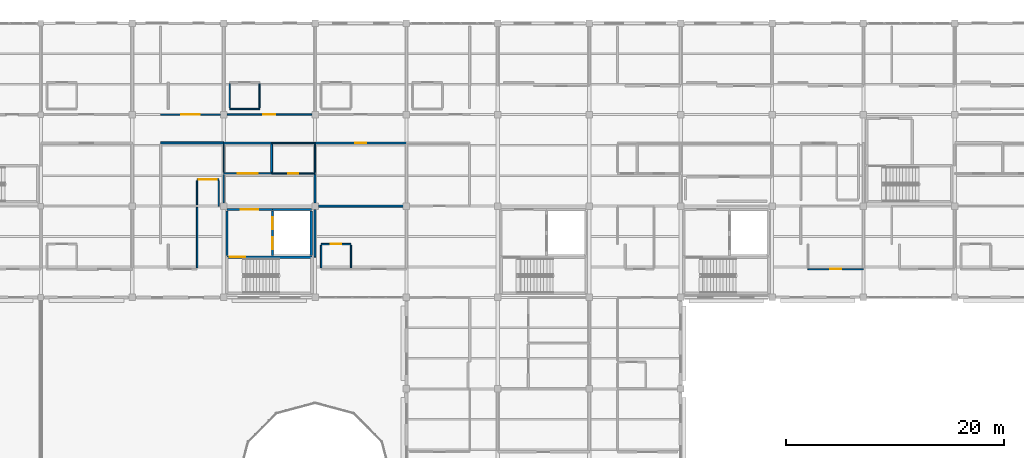
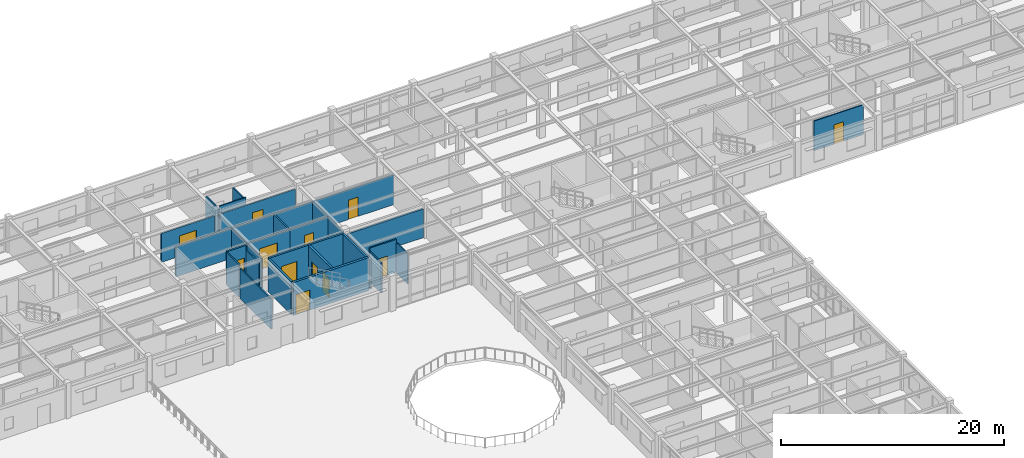
# One storey, part 61 of 86: 32 walls, 12 doors, 12 openings.
"""IFC4 building model written with IfcOpenShell, lengths in metres."""

from ifc_helpers import new_model, si_unit, direction, frame, frame_2d, origin, place, context, subcontext, project, spatial, rectangle, extrude, material, layer, layer_set, type_object, element, fill, save


model = new_model("IFC4")

# Units and contexts
model_context = context("Model", 3, precision=1e-05, world=origin(), true_north=direction((0.0, 1.0)))
body_context = subcontext(model_context, "Body", "Model", "MODEL_VIEW")
ifc_project = project(units=[si_unit("LENGTHUNIT", "METRE"), si_unit("AREAUNIT", "SQUARE_METRE"), si_unit("VOLUMEUNIT", "CUBIC_METRE"), si_unit("PLANEANGLEUNIT", "RADIAN"), si_unit("MASSUNIT", "GRAM", prefix="KILO")], contexts=[model_context])

# Site, building, storey
site_placement = place(None, origin())
site = spatial("IfcSite", under=ifc_project, at=site_placement, CompositionType="ELEMENT")
building_placement = place(site_placement, origin())
building = spatial("IfcBuilding", under=site, at=building_placement, Name="Bramfleet General Hospital", CompositionType="ELEMENT")
storey_placement = place(building_placement, frame((0.0, 0.0, 18.60009765625)))
storey = spatial("IfcBuildingStorey", under=building, at=storey_placement, Name="L04", CompositionType="ELEMENT", Elevation=18.60009765625)

# Wall, openings, doors
ifc_material_1 = material(Name="Concrete C35/45", Category="concrete")
ifc_layer_1 = layer(ifc_material_1, 0.205078125, Name="WT-IW-02")
ifc_layer_set_1 = layer_set([ifc_layer_1], Name="Concrete C35/45")
wall_type_1 = type_object("IfcWallType", Name="WT-IW-02", PredefinedType="PARTITIONING", material=ifc_layer_set_1)
wall_1_placement = place(storey_placement, frame((80.080078125, 96.239990234375, 0.0), z_axis=(0.0, 0.0, 1.0), x_axis=(0.0, 1.0, 0.0)))
wall_1 = element("IfcWall", 1, at=wall_1_placement, inside=storey, type_object=wall_type_1, Name="L04 C5 Lobby East Shaft Wall", PredefinedType="PARTITIONING", context=body_context, shape_type="SweptSolid", body=[
    extrude(rectangle(XDim=4.1201171875, YDim=0.205078125, at=frame_2d((2.06005859375, 0.0))), origin(), (0.0, 0.0, 1.0), 3.60986328125),
])
opening_1_placement = place(wall_1_placement, frame((0.570068359375, 0.0, 0.0)))
opening_1 = element("IfcOpeningElement", 2, at=opening_1_placement, cuts=wall_1, Name="Opening LD-PL-02-L04", PredefinedType="OPENING", context=body_context, shape_type="SweptSolid", body=[
    extrude(rectangle(XDim=1.10009765625, YDim=2.14990234375, at=frame_2d((0.550048828125, 1.074951171875))), frame((0.0, 0.112548828125, 0.0), z_axis=(0.0, -1.0, 0.0), x_axis=(1.0, 0.0, 0.0)), (0.0, 0.0, 1.0), 0.22509765625),
])
opening_2_placement = place(wall_1_placement, frame((2.449951171875, 0.0, 0.0)))
opening_2 = element("IfcOpeningElement", 3, at=opening_2_placement, cuts=wall_1, Name="Opening LD-PL-03-L04", PredefinedType="OPENING", context=body_context, shape_type="SweptSolid", body=[
    extrude(rectangle(XDim=1.10009765625, YDim=2.14990234375, at=frame_2d((0.550048828125, 1.074951171875))), frame((0.0, 0.112548828125, 0.0), z_axis=(0.0, -1.0, 0.0), x_axis=(1.0, 0.0, 0.0)), (0.0, 0.0, 1.0), 0.22509765625),
])
ifc_material_2 = material(Name="Brushed stainless steel 1.4301", Category="steel")
door_type_1 = type_object("IfcDoorType", Name="DR-LD-02", OperationType="NOTDEFINED", PredefinedType="DOOR", material=ifc_material_2)
door_1_placement = place(opening_1_placement, origin())
door_1 = element("IfcDoor", 4, at=door_1_placement, inside=storey, type_object=door_type_1, Name="L04 Lift PL-02 Sliding Landing Door", OperationType="SLIDING_TO_LEFT", OverallHeight=2.14990234375, OverallWidth=1.10009765625, PredefinedType="DOOR", context=body_context, shape_type="SweptSolid", body=[
    extrude(rectangle(XDim=1.10009765625, YDim=2.14990234375, at=frame_2d((0.550048828125, 1.074951171875))), frame((0.0, 0.02490234375, 0.0), z_axis=(0.0, -1.0, 0.0), x_axis=(1.0, 0.0, 0.0)), (0.0, 0.0, 1.0), 0.050048828125),
])
fill(opening_1, door_1)
door_2_placement = place(opening_2_placement, origin())
door_2 = element("IfcDoor", 5, at=door_2_placement, inside=storey, type_object=door_type_1, Name="L04 Lift PL-03 Sliding Landing Door", OperationType="SLIDING_TO_LEFT", OverallHeight=2.14990234375, OverallWidth=1.10009765625, PredefinedType="DOOR", context=body_context, shape_type="SweptSolid", body=[
    extrude(rectangle(XDim=1.10009765625, YDim=2.14990234375, at=frame_2d((0.550048828125, 1.074951171875))), frame((0.0, 0.02490234375, 0.0), z_axis=(0.0, -1.0, 0.0), x_axis=(1.0, 0.0, 0.0)), (0.0, 0.0, 1.0), 0.050048828125),
])
fill(opening_2, door_2)

# Walls
wall_2_placement = place(storey_placement, frame((83.64990234375, 96.239990234375, 0.0), z_axis=(0.0, 0.0, 1.0), x_axis=(0.0, 1.0, 0.0)))
element("IfcWall", 6, at=wall_2_placement, inside=storey, type_object=wall_type_1, Name="L04 C5 Lift Shaft East Wall", PredefinedType="PARTITIONING", context=body_context, shape_type="SweptSolid", body=[
    extrude(rectangle(XDim=4.1201171875, YDim=0.205078125, at=frame_2d((2.06005859375, 0.0))), origin(), (0.0, 0.0, 1.0), 3.60986328125),
])
wall_3_placement = place(storey_placement, frame((80.080078125, 100.47998046875, 0.0), z_axis=(0.0, 0.0, 1.0), x_axis=(1.0, 0.0, 0.0)))
element("IfcWall", 7, at=wall_3_placement, inside=storey, type_object=wall_type_1, Name="L04 C5 Lift Shaft North Wall", PredefinedType="PARTITIONING", context=body_context, shape_type="SweptSolid", body=[
    extrude(rectangle(XDim=3.56982421875, YDim=0.205078125, at=frame_2d((1.784912109375, 0.0))), origin(), (0.0, 0.0, 1.0), 3.60986328125),
])
wall_4_placement = place(storey_placement, frame((75.89990234375, 96.239990234375, 0.0), z_axis=(0.0, 0.0, 1.0), x_axis=(0.0, 1.0, 0.0)))
element("IfcWall", 8, at=wall_4_placement, inside=storey, type_object=wall_type_1, Name="L04 C5 Lobby West Compartment Wall", PredefinedType="PARTITIONING", context=body_context, shape_type="SweptSolid", body=[
    extrude(rectangle(XDim=4.1201171875, YDim=0.205078125, at=frame_2d((2.06005859375, 0.0))), origin(), (0.0, 0.0, 1.0), 3.60986328125),
])

# Wall, opening, door
wall_5_placement = place(storey_placement, frame((75.89990234375, 100.47998046875, 0.0), z_axis=(0.0, 0.0, 1.0), x_axis=(1.0, 0.0, 0.0)))
wall_5 = element("IfcWall", 9, at=wall_5_placement, inside=storey, type_object=wall_type_1, Name="L04 C5 Lobby North Compartment Wall", PredefinedType="PARTITIONING", context=body_context, shape_type="SweptSolid", body=[
    extrude(rectangle(XDim=4.18017578125, YDim=0.205078125, at=frame_2d((2.090087890625, 0.0))), origin(), (0.0, 0.0, 1.0), 3.60986328125),
])
opening_3_placement = place(wall_5_placement, frame((1.2900390625, 0.0, 0.0)))
opening_3 = element("IfcOpeningElement", 10, at=opening_3_placement, cuts=wall_5, Name="Opening D0066", PredefinedType="OPENING", context=body_context, shape_type="SweptSolid", body=[
    extrude(rectangle(XDim=1.60009765625, YDim=2.25, at=frame_2d((0.800048828125, 1.125))), frame((0.0, 0.112548828125, 0.0), z_axis=(0.0, -1.0, 0.0), x_axis=(1.0, 0.0, 0.0)), (0.0, 0.0, 1.0), 0.22509765625),
])
ifc_material_3 = material(Name="Stainless steel and acoustic timber leaf", Category="steel")
door_type_2 = type_object("IfcDoorType", Name="DR-D-04", OperationType="NOTDEFINED", PredefinedType="DOOR", material=ifc_material_3)
door_3_placement = place(opening_3_placement, origin())
door_3 = element("IfcDoor", 11, at=door_3_placement, inside=storey, type_object=door_type_2, Name="L04 C5 Lobby Fire Door D0066", OperationType="DOUBLE_SWING_LEFT", OverallHeight=2.25, OverallWidth=1.60009765625, PredefinedType="DOOR", context=body_context, shape_type="SweptSolid", body=[
    extrude(rectangle(XDim=1.60009765625, YDim=2.25, at=frame_2d((0.800048828125, 1.125))), frame((0.0, 0.02490234375, 0.0), z_axis=(0.0, -1.0, 0.0), x_axis=(1.0, 0.0, 0.0)), (0.0, 0.0, 1.0), 0.050048828125),
])
fill(opening_3, door_3)

ifc_layer_2 = layer(ifc_material_1, 0.18994140625, Name="WT-IW-03")
ifc_layer_set_2 = layer_set([ifc_layer_2], Name="Concrete C35/45")
wall_type_2 = type_object("IfcWallType", Name="WT-IW-03", PredefinedType="PARTITIONING", material=ifc_layer_set_2)
wall_6_placement = place(storey_placement, frame((73.14990234375, 103.25, 0.0), z_axis=(0.0, 0.0, 1.0), x_axis=(1.0, 0.0, 0.0)))
wall_6 = element("IfcWall", 12, at=wall_6_placement, inside=storey, type_object=wall_type_2, Name="L04 Interior Partition IW-L04-3219", PredefinedType="PARTITIONING", context=body_context, shape_type="SweptSolid", body=[
    extrude(rectangle(XDim=2.0, YDim=0.18994140625, at=frame_2d((1.0, 0.0))), origin(), (0.0, 0.0, 1.0), 3.60986328125),
])
opening_4_placement = place(wall_6_placement, frame((0.179931640625, 0.0, 0.0)))
opening_4 = element("IfcOpeningElement", 13, at=opening_4_placement, cuts=wall_6, Name="Opening D1234", PredefinedType="OPENING", context=body_context, shape_type="SweptSolid", body=[
    extrude(rectangle(XDim=1.639892578125, YDim=2.280029296875, at=frame_2d((0.81982421875, 1.14013671875))), frame((0.0, 0.10498046875, 0.0), z_axis=(0.0, -1.0, 0.0), x_axis=(1.0, 0.0, 0.0)), (0.0, 0.0, 1.0), 0.2099609375),
])
door_type_3 = type_object("IfcDoorType", Name="DR-D-18", OperationType="NOTDEFINED", PredefinedType="DOOR", material=ifc_material_3)
door_4_placement = place(opening_4_placement, origin())
door_4 = element("IfcDoor", 14, at=door_4_placement, inside=storey, type_object=door_type_3, Name="Surgical Inpatient Ward Nurse Station L04-0812 Door D1234", OperationType="DOUBLE_SWING_LEFT", OverallHeight=2.280029296875, OverallWidth=1.639892578125, PredefinedType="DOOR", context=body_context, shape_type="SweptSolid", body=[
    extrude(rectangle(XDim=1.639892578125, YDim=2.280029296875, at=frame_2d((0.81982421875, 1.14013671875))), frame((0.0, 0.02490234375, 0.0), z_axis=(0.0, -1.0, 0.0), x_axis=(1.0, 0.0, 0.0)), (0.0, 0.0, 1.0), 0.050048828125),
])
fill(opening_4, door_4)

# Walls
ifc_layer_3 = layer(ifc_material_1, 0.179931640625, Name="WT-IW-04")
ifc_layer_set_3 = layer_set([ifc_layer_3], Name="Concrete C35/45")
wall_type_3 = type_object("IfcWallType", Name="WT-IW-04", PredefinedType="PARTITIONING", material=ifc_layer_set_3)
wall_7_placement = place(storey_placement, frame((84.294921875, 100.800048828125, 0.0), z_axis=(0.0, 0.0, 1.0), x_axis=(1.0, 0.0, 0.0)))
element("IfcWall", 15, at=wall_7_placement, inside=storey, type_object=wall_type_3, Name="L04 Interior Partition IW-L04-3208", PredefinedType="PARTITIONING", context=body_context, shape_type="SweptSolid", body=[
    extrude(rectangle(XDim=7.81005859375, YDim=0.179931640625, at=frame_2d((3.905029296875, 0.0))), origin(), (0.0, 0.0, 1.0), 3.159912109375),
])
wall_8_placement = place(storey_placement, frame((69.800048828125, 106.60009765625, 0.0), z_axis=(0.0, 0.0, 1.0), x_axis=(1.0, 0.0, 0.0)))
element("IfcWall", 16, at=wall_8_placement, inside=storey, type_object=wall_type_3, Name="L04 Interior Partition IW-L04-3232", PredefinedType="PARTITIONING", context=body_context, shape_type="SweptSolid", body=[
    extrude(rectangle(XDim=5.800048828125, YDim=0.179931640625, at=frame_2d((2.89990234375, 0.0))), origin(), (0.0, 0.0, 1.0), 3.260009765625),
])
wall_9_placement = place(storey_placement, frame((80.0, 103.9150390625, 0.0), z_axis=(0.0, 0.0, 1.0), x_axis=(0.0, 1.0, 0.0)))
element("IfcWall", 17, at=wall_9_placement, inside=storey, type_object=wall_type_3, Name="L04 Interior Partition IW-L04-3316", PredefinedType="PARTITIONING", context=body_context, shape_type="SweptSolid", body=[
    extrude(rectangle(XDim=2.570068359375, YDim=0.179931640625, at=frame_2d((1.28515625, 0.0))), origin(), (0.0, 0.0, 1.0), 3.309814453125),
])
ifc_material_4 = material(Name="Gypsum plasterboard on acoustic steel studs", Category="steel")
ifc_layer_4 = layer(ifc_material_4, 0.169921875, Name="WT-IW-05")
ifc_layer_set_4 = layer_set([ifc_layer_4], Name="Gypsum plasterboard on acoustic steel studs")
wall_type_4 = type_object("IfcWallType", Name="WT-IW-05", PredefinedType="PARTITIONING", material=ifc_layer_set_4)
wall_10_placement = place(storey_placement, frame((75.60009765625, 106.60009765625, 0.0), z_axis=(0.0, 0.0, 1.0), x_axis=(1.0, 0.0, 0.0)))
element("IfcWall", 18, at=wall_10_placement, inside=storey, type_object=wall_type_4, Name="L04 Interior Partition IW-L04-3233", PredefinedType="PARTITIONING", context=body_context, shape_type="SweptSolid", body=[
    extrude(rectangle(XDim=4.39990234375, YDim=0.169921875, at=frame_2d((2.199951171875, 0.0))), origin(), (0.0, 0.0, 1.0), 3.260009765625),
])
wall_11_placement = place(storey_placement, frame((84.0, 96.10009765625, 0.0), z_axis=(0.0, 0.0, 1.0), x_axis=(0.0, 1.0, 0.0)))
element("IfcWall", 19, at=wall_11_placement, inside=storey, type_object=wall_type_4, Name="L04 Interior Partition IW-L04-3317", PredefinedType="PARTITIONING", context=body_context, shape_type="SweptSolid", body=[
    extrude(rectangle(XDim=4.40478515625, YDim=0.169921875, at=frame_2d((2.202392578125, 0.0))), origin(), (0.0, 0.0, 1.0), 3.260009765625),
])
ifc_layer_5 = layer(ifc_material_4, 0.159912109375, Name="WT-IW-06")
ifc_layer_set_5 = layer_set([ifc_layer_5], Name="Gypsum plasterboard on acoustic steel studs")
wall_type_5 = type_object("IfcWallType", Name="WT-IW-06", PredefinedType="PARTITIONING", material=ifc_layer_set_5)
wall_12_placement = place(storey_placement, frame((84.0, 101.094970703125, 0.0), z_axis=(0.0, 0.0, 1.0), x_axis=(0.0, 1.0, 0.0)))
element("IfcWall", 20, at=wall_12_placement, inside=storey, type_object=wall_type_5, Name="L04 Interior Partition IW-L04-3318", PredefinedType="PARTITIONING", context=body_context, shape_type="SweptSolid", body=[
    extrude(rectangle(XDim=2.590087890625, YDim=0.159912109375, at=frame_2d((1.294921875, 0.0))), origin(), (0.0, 0.0, 1.0), 3.260009765625),
])

# Wall, opening, door
ifc_layer_6 = layer(ifc_material_4, 0.14990234375, Name="WT-IW-07")
ifc_layer_set_6 = layer_set([ifc_layer_6], Name="Gypsum plasterboard on acoustic steel studs")
wall_type_6 = type_object("IfcWallType", Name="WT-IW-07", PredefinedType="PARTITIONING", material=ifc_layer_set_6)
wall_13_placement = place(storey_placement, frame((75.60009765625, 103.800048828125, 0.0), z_axis=(0.0, 0.0, 1.0), x_axis=(1.0, 0.0, 0.0)))
wall_13 = element("IfcWall", 21, at=wall_13_placement, inside=storey, type_object=wall_type_6, Name="L04 Interior Partition IW-L04-3223", PredefinedType="PARTITIONING", context=body_context, shape_type="SweptSolid", body=[
    extrude(rectangle(XDim=4.39990234375, YDim=0.14990234375, at=frame_2d((2.199951171875, 0.0))), origin(), (0.0, 0.0, 1.0), 3.260009765625),
])
opening_5_placement = place(wall_13_placement, frame((1.280029296875, 0.0, 0.0)))
opening_5 = element("IfcOpeningElement", 22, at=opening_5_placement, cuts=wall_13, Name="Opening D1236", PredefinedType="OPENING", context=body_context, shape_type="SweptSolid", body=[
    extrude(rectangle(XDim=1.840087890625, YDim=2.280029296875, at=frame_2d((0.919921875, 1.14013671875))), frame((0.0, 0.0849609375, 0.0), z_axis=(0.0, -1.0, 0.0), x_axis=(1.0, 0.0, 0.0)), (0.0, 0.0, 1.0), 0.169921875),
])
door_type_4 = type_object("IfcDoorType", Name="DR-D-20", OperationType="NOTDEFINED", PredefinedType="DOOR", material=ifc_material_3)
door_5_placement = place(opening_5_placement, origin())
door_5 = element("IfcDoor", 23, at=door_5_placement, inside=storey, type_object=door_type_4, Name="Clean Medication and Treatment Room L04-0912 Door D1236", OperationType="DOUBLE_SWING_LEFT", OverallHeight=2.280029296875, OverallWidth=1.840087890625, PredefinedType="DOOR", context=body_context, shape_type="SweptSolid", body=[
    extrude(rectangle(XDim=1.840087890625, YDim=2.280029296875, at=frame_2d((0.919921875, 1.14013671875))), frame((0.0, 0.02490234375, 0.0), z_axis=(0.0, -1.0, 0.0), x_axis=(1.0, 0.0, 0.0)), (0.0, 0.0, 1.0), 0.050048828125),
])
fill(opening_5, door_5)

wall_14_placement = place(storey_placement, frame((84.0, 106.60009765625, 0.0), z_axis=(0.0, 0.0, 1.0), x_axis=(1.0, 0.0, 0.0)))
wall_14 = element("IfcWall", 24, at=wall_14_placement, inside=storey, type_object=wall_type_6, Name="L04 Interior Partition IW-L04-3235", PredefinedType="PARTITIONING", context=body_context, shape_type="SweptSolid", body=[
    extrude(rectangle(XDim=8.39990234375, YDim=0.14990234375, at=frame_2d((4.199951171875, 0.0))), origin(), (0.0, 0.0, 1.0), 3.260009765625),
])
opening_6_placement = place(wall_14_placement, frame((3.7099609375, 0.0, 0.0)))
opening_6 = element("IfcOpeningElement", 25, at=opening_6_placement, cuts=wall_14, Name="Opening D1242", PredefinedType="OPENING", context=body_context, shape_type="SweptSolid", body=[
    extrude(rectangle(XDim=0.97998046875, YDim=2.1201171875, at=frame_2d((0.489990234375, 1.06005859375))), frame((0.0, 0.0849609375, 0.0), z_axis=(0.0, -1.0, 0.0), x_axis=(1.0, 0.0, 0.0)), (0.0, 0.0, 1.0), 0.169921875),
])
door_type_5 = type_object("IfcDoorType", Name="DR-D-26", OperationType="NOTDEFINED", PredefinedType="DOOR", material=ifc_material_3)
door_6_placement = place(opening_6_placement, origin())
door_6 = element("IfcDoor", 26, at=door_6_placement, inside=storey, type_object=door_type_5, Name="Patient Dayroom and Garden Lounge L04-1012 Door D1242", OperationType="SINGLE_SWING_LEFT", OverallHeight=2.1201171875, OverallWidth=0.97998046875, PredefinedType="DOOR", context=body_context, shape_type="SweptSolid", body=[
    extrude(rectangle(XDim=0.97998046875, YDim=2.1201171875, at=frame_2d((0.489990234375, 1.06005859375))), frame((0.0, 0.02490234375, 0.0), z_axis=(0.0, -1.0, 0.0), x_axis=(1.0, 0.0, 0.0)), (0.0, 0.0, 1.0), 0.050048828125),
])
fill(opening_6, door_6)

ifc_layer_7 = layer(ifc_material_4, 0.139892578125, Name="WT-IW-08")
ifc_layer_set_7 = layer_set([ifc_layer_7], Name="Gypsum plasterboard on acoustic steel studs")
wall_type_7 = type_object("IfcWallType", Name="WT-IW-08", PredefinedType="PARTITIONING", material=ifc_layer_set_7)
wall_15_placement = place(storey_placement, frame((84.550048828125, 97.300048828125, 0.0), z_axis=(0.0, 0.0, 1.0), x_axis=(1.0, 0.0, 0.0)))
wall_15 = element("IfcWall", 27, at=wall_15_placement, inside=storey, type_object=wall_type_7, Name="L04 Interior Partition IW-L04-3200", PredefinedType="PARTITIONING", context=body_context, shape_type="SweptSolid", body=[
    extrude(rectangle(XDim=2.75, YDim=0.139892578125, at=frame_2d((1.375, 0.0))), origin(), (0.0, 0.0, 1.0), 3.60986328125),
])
opening_7_placement = place(wall_15_placement, frame((0.89990234375, 0.0, 0.0)))
opening_7 = element("IfcOpeningElement", 28, at=opening_7_placement, cuts=wall_15, Name="Opening D1241", PredefinedType="OPENING", context=body_context, shape_type="SweptSolid", body=[
    extrude(rectangle(XDim=0.949951171875, YDim=2.10009765625, at=frame_2d((0.47509765625, 1.050048828125))), frame((0.0, 0.079833984375, 0.0), z_axis=(0.0, -1.0, 0.0), x_axis=(1.0, 0.0, 0.0)), (0.0, 0.0, 1.0), 0.159912109375),
])
door_type_6 = type_object("IfcDoorType", Name="DR-D-10", OperationType="NOTDEFINED", PredefinedType="DOOR", material=ifc_material_3)
door_7_placement = place(opening_7_placement, origin())
door_7 = element("IfcDoor", 29, at=door_7_placement, inside=storey, type_object=door_type_6, Name="En-Suite Bathroom L04-1011 Door D1241", OperationType="SINGLE_SWING_LEFT", OverallHeight=2.10009765625, OverallWidth=0.949951171875, PredefinedType="DOOR", context=body_context, shape_type="SweptSolid", body=[
    extrude(rectangle(XDim=0.949951171875, YDim=2.10009765625, at=frame_2d((0.47509765625, 1.050048828125))), frame((0.0, 0.02490234375, 0.0), z_axis=(0.0, -1.0, 0.0), x_axis=(1.0, 0.0, 0.0)), (0.0, 0.0, 1.0), 0.050048828125),
])
fill(opening_7, door_7)

wall_16_placement = place(storey_placement, frame((69.800048828125, 109.199951171875, 0.0), z_axis=(0.0, 0.0, 1.0), x_axis=(1.0, 0.0, 0.0)))
wall_16 = element("IfcWall", 30, at=wall_16_placement, inside=storey, type_object=wall_type_7, Name="L04 Interior Partition IW-L04-3248", PredefinedType="PARTITIONING", context=body_context, shape_type="SweptSolid", body=[
    extrude(rectangle(XDim=5.5048828125, YDim=0.139892578125, at=frame_2d((2.75244140625, 0.0))), origin(), (0.0, 0.0, 1.0), 3.159912109375),
])
opening_8_placement = place(wall_16_placement, frame((1.882568359375, 0.0, 0.0)))
opening_8 = element("IfcOpeningElement", 31, at=opening_8_placement, cuts=wall_16, Name="Opening D1235", PredefinedType="OPENING", context=body_context, shape_type="SweptSolid", body=[
    extrude(rectangle(XDim=1.739990234375, YDim=2.239990234375, at=frame_2d((0.8701171875, 1.1201171875))), frame((0.0, 0.079833984375, 0.0), z_axis=(0.0, -1.0, 0.0), x_axis=(1.0, 0.0, 0.0)), (0.0, 0.0, 1.0), 0.159912109375),
])
door_type_7 = type_object("IfcDoorType", Name="DR-D-19", OperationType="NOTDEFINED", PredefinedType="DOOR", material=ifc_material_3)
door_8_placement = place(opening_8_placement, origin())
door_8 = element("IfcDoor", 32, at=door_8_placement, inside=storey, type_object=door_type_7, Name="Surgical Inpatient Ward Bedroom L04-0813 Door D1235", OperationType="DOUBLE_SWING_RIGHT", OverallHeight=2.239990234375, OverallWidth=1.739990234375, PredefinedType="DOOR", context=body_context, shape_type="SweptSolid", body=[
    extrude(rectangle(XDim=1.739990234375, YDim=2.239990234375, at=frame_2d((0.8701171875, 1.1201171875))), frame((0.0, 0.02490234375, 0.0), z_axis=(0.0, -1.0, 0.0), x_axis=(1.0, 0.0, 0.0)), (0.0, 0.0, 1.0), 0.050048828125),
])
fill(opening_8, door_8)

# Wall
wall_17_placement = place(storey_placement, frame((73.14990234375, 95.114990234375, 0.0), z_axis=(0.0, 0.0, 1.0), x_axis=(0.0, 1.0, 0.0)))
element("IfcWall", 33, at=wall_17_placement, inside=storey, type_object=wall_type_7, Name="L04 Interior Partition IW-L04-3308", PredefinedType="PARTITIONING", context=body_context, shape_type="SweptSolid", body=[
    extrude(rectangle(XDim=5.570068359375, YDim=0.139892578125, at=frame_2d((2.78515625, 0.0))), origin(), (0.0, 0.0, 1.0), 3.309814453125),
])

# Wall, opening, door
ifc_layer_8 = layer(ifc_material_4, 0.1298828125, Name="WT-IW-09")
ifc_layer_set_8 = layer_set([ifc_layer_8], Name="Gypsum plasterboard on acoustic steel studs")
wall_type_8 = type_object("IfcWallType", Name="WT-IW-09", PredefinedType="PARTITIONING", material=ifc_layer_set_8)
wall_18_placement = place(storey_placement, frame((75.89501953125, 109.199951171875, 0.0), z_axis=(0.0, 0.0, 1.0), x_axis=(1.0, 0.0, 0.0)))
wall_18 = element("IfcWall", 34, at=wall_18_placement, inside=storey, type_object=wall_type_8, Name="L04 Interior Partition IW-L04-3249", PredefinedType="PARTITIONING", context=body_context, shape_type="SweptSolid", body=[
    extrude(rectangle(XDim=7.81005859375, YDim=0.1298828125, at=frame_2d((3.905029296875, 0.0))), origin(), (0.0, 0.0, 1.0), 3.159912109375),
])
opening_9_placement = place(wall_18_placement, frame((3.364990234375, 0.0, 0.0)))
opening_9 = element("IfcOpeningElement", 35, at=opening_9_placement, cuts=wall_18, Name="Opening D1238", PredefinedType="OPENING", context=body_context, shape_type="SweptSolid", body=[
    extrude(rectangle(XDim=1.080078125, YDim=2.1201171875, at=frame_2d((0.5400390625, 1.06005859375))), frame((0.0, 0.074951171875, 0.0), z_axis=(0.0, -1.0, 0.0), x_axis=(1.0, 0.0, 0.0)), (0.0, 0.0, 1.0), 0.14990234375),
])
door_type_8 = type_object("IfcDoorType", Name="DR-D-22", OperationType="NOTDEFINED", PredefinedType="DOOR", material=ifc_material_3)
door_9_placement = place(opening_9_placement, origin())
door_9 = element("IfcDoor", 36, at=door_9_placement, inside=storey, type_object=door_type_8, Name="Surgical Inpatient Ward Bedroom L04-0913 Door D1238", OperationType="SINGLE_SWING_LEFT", OverallHeight=2.1201171875, OverallWidth=1.080078125, PredefinedType="DOOR", context=body_context, shape_type="SweptSolid", body=[
    extrude(rectangle(XDim=1.080078125, YDim=2.1201171875, at=frame_2d((0.5400390625, 1.06005859375))), frame((0.0, 0.02490234375, 0.0), z_axis=(0.0, -1.0, 0.0), x_axis=(1.0, 0.0, 0.0)), (0.0, 0.0, 1.0), 0.050048828125),
])
fill(opening_9, door_9)

# Walls
wall_19_placement = place(storey_placement, frame((73.14990234375, 100.9150390625, 0.0), z_axis=(0.0, 0.0, 1.0), x_axis=(0.0, 1.0, 0.0)))
element("IfcWall", 37, at=wall_19_placement, inside=storey, type_object=wall_type_8, Name="L04 Interior Partition IW-L04-3309", PredefinedType="PARTITIONING", context=body_context, shape_type="SweptSolid", body=[
    extrude(rectangle(XDim=2.219970703125, YDim=0.1298828125, at=frame_2d((1.10986328125, 0.0))), origin(), (0.0, 0.0, 1.0), 3.60986328125),
])
wall_20_placement = place(storey_placement, frame((84.550048828125, 95.114990234375, 0.0), z_axis=(0.0, 0.0, 1.0), x_axis=(0.0, 1.0, 0.0)))
element("IfcWall", 38, at=wall_20_placement, inside=storey, type_object=wall_type_8, Name="L04 Interior Partition IW-L04-3321", PredefinedType="PARTITIONING", context=body_context, shape_type="SweptSolid", body=[
    extrude(rectangle(XDim=2.070068359375, YDim=0.1298828125, at=frame_2d((1.03515625, 0.0))), origin(), (0.0, 0.0, 1.0), 3.309814453125),
])

# Wall, opening, door
ifc_layer_9 = layer(ifc_material_4, 0.1201171875, Name="WT-IW-10")
ifc_layer_set_9 = layer_set([ifc_layer_9], Name="Gypsum plasterboard on acoustic steel studs")
wall_type_9 = type_object("IfcWallType", Name="WT-IW-10", PredefinedType="PARTITIONING", material=ifc_layer_set_9)
wall_21_placement = place(storey_placement, frame((129.300048828125, 95.0, 0.0), z_axis=(0.0, 0.0, 1.0), x_axis=(1.0, 0.0, 0.0)))
wall_21 = element("IfcWall", 39, at=wall_21_placement, inside=storey, type_object=wall_type_9, Name="L04 Interior Partition IW-L04-3190", PredefinedType="PARTITIONING", context=body_context, shape_type="SweptSolid", body=[
    extrude(rectangle(XDim=5.099853515625, YDim=0.1201171875, at=frame_2d((2.5498046875, 0.0))), origin(), (0.0, 0.0, 1.0), 3.260009765625),
])
opening_10_placement = place(wall_21_placement, frame((2.06005859375, 0.0, 0.0)))
opening_10 = element("IfcOpeningElement", 40, at=opening_10_placement, cuts=wall_21, Name="Opening D1306", PredefinedType="OPENING", context=body_context, shape_type="SweptSolid", body=[
    extrude(rectangle(XDim=0.97998046875, YDim=2.1201171875, at=frame_2d((0.489990234375, 1.06005859375))), frame((0.0, 0.070068359375, 0.0), z_axis=(0.0, -1.0, 0.0), x_axis=(1.0, 0.0, 0.0)), (0.0, 0.0, 1.0), 0.14013671875),
])
door_10_placement = place(opening_10_placement, origin())
door_10 = element("IfcDoor", 41, at=door_10_placement, inside=storey, type_object=door_type_5, Name="Surgical Inpatient Ward Bedroom L04-1511 Door D1306", OperationType="SINGLE_SWING_LEFT", OverallHeight=2.1201171875, OverallWidth=0.97998046875, PredefinedType="DOOR", context=body_context, shape_type="SweptSolid", body=[
    extrude(rectangle(XDim=0.97998046875, YDim=2.1201171875, at=frame_2d((0.489990234375, 1.06005859375))), frame((0.0, 0.02490234375, 0.0), z_axis=(0.0, -1.0, 0.0), x_axis=(1.0, 0.0, 0.0)), (0.0, 0.0, 1.0), 0.050048828125),
])
fill(opening_10, door_10)

wall_22_placement = place(storey_placement, frame((80.0, 103.800048828125, 0.0), z_axis=(0.0, 0.0, 1.0), x_axis=(1.0, 0.0, 0.0)))
wall_22 = element("IfcWall", 42, at=wall_22_placement, inside=storey, type_object=wall_type_9, Name="L04 Interior Partition IW-L04-3224", PredefinedType="PARTITIONING", context=body_context, shape_type="SweptSolid", body=[
    extrude(rectangle(XDim=4.0, YDim=0.1201171875, at=frame_2d((2.0, 0.0))), origin(), (0.0, 0.0, 1.0), 3.260009765625),
])
opening_11_placement = place(wall_22_placement, frame((1.52490234375, 0.0, 0.0)))
opening_11 = element("IfcOpeningElement", 43, at=opening_11_placement, cuts=wall_22, Name="Opening D1237", PredefinedType="OPENING", context=body_context, shape_type="SweptSolid", body=[
    extrude(rectangle(XDim=0.949951171875, YDim=2.10009765625, at=frame_2d((0.47509765625, 1.050048828125))), frame((0.0, 0.070068359375, 0.0), z_axis=(0.0, -1.0, 0.0), x_axis=(1.0, 0.0, 0.0)), (0.0, 0.0, 1.0), 0.14013671875),
])
door_11_placement = place(opening_11_placement, origin())
door_11 = element("IfcDoor", 44, at=door_11_placement, inside=storey, type_object=door_type_6, Name="L04 Accessible and Staff WC 0912 Door D1237", OperationType="SINGLE_SWING_LEFT", OverallHeight=2.10009765625, OverallWidth=0.949951171875, PredefinedType="DOOR", context=body_context, shape_type="SweptSolid", body=[
    extrude(rectangle(XDim=0.949951171875, YDim=2.10009765625, at=frame_2d((0.47509765625, 1.050048828125))), frame((0.0, 0.02490234375, 0.0), z_axis=(0.0, -1.0, 0.0), x_axis=(1.0, 0.0, 0.0)), (0.0, 0.0, 1.0), 0.050048828125),
])
fill(opening_11, door_11)

# Walls
wall_23_placement = place(storey_placement, frame((80.0, 106.60009765625, 0.0), z_axis=(0.0, 0.0, 1.0), x_axis=(1.0, 0.0, 0.0)))
element("IfcWall", 45, at=wall_23_placement, inside=storey, type_object=wall_type_9, Name="L04 Interior Partition IW-L04-3234", PredefinedType="PARTITIONING", context=body_context, shape_type="SweptSolid", body=[
    extrude(rectangle(XDim=4.0, YDim=0.1201171875, at=frame_2d((2.0, 0.0))), origin(), (0.0, 0.0, 1.0), 3.260009765625),
])
wall_24_placement = place(storey_placement, frame((76.14990234375, 109.719970703125, 0.0), z_axis=(0.0, 0.0, 1.0), x_axis=(1.0, 0.0, 0.0)))
element("IfcWall", 46, at=wall_24_placement, inside=storey, type_object=wall_type_9, Name="L04 Interior Partition IW-L04-3256", PredefinedType="PARTITIONING", context=body_context, shape_type="SweptSolid", body=[
    extrude(rectangle(XDim=2.75, YDim=0.1201171875, at=frame_2d((1.375, 0.0))), origin(), (0.0, 0.0, 1.0), 3.60986328125),
])
wall_25_placement = place(storey_placement, frame((75.14990234375, 100.800048828125, 0.0), z_axis=(0.0, 0.0, 1.0), x_axis=(0.0, 1.0, 0.0)))
element("IfcWall", 47, at=wall_25_placement, inside=storey, type_object=wall_type_9, Name="L04 Interior Partition IW-L04-3310", PredefinedType="PARTITIONING", context=body_context, shape_type="SweptSolid", body=[
    extrude(rectangle(XDim=2.3349609375, YDim=0.1201171875, at=frame_2d((1.16748046875, 0.0))), origin(), (0.0, 0.0, 1.0), 3.159912109375),
])
for number, where, z_axis, x_axis, name in (
    (48, (76.14990234375, 109.8349609375, 0.0), (0.0, 0.0, 1.0), (0.0, 1.0, 0.0), "L04 Interior Partition IW-L04-3314"),
    (49, (78.89990234375, 109.8349609375, 0.0), (0.0, 0.0, 1.0), (0.0, 1.0, 0.0), "L04 Interior Partition IW-L04-3315"),
):
    element("IfcWall", number, at=place(storey_placement, frame(where, z_axis=z_axis, x_axis=x_axis)), inside=storey, type_object=wall_type_9, Name=name, PredefinedType="PARTITIONING", context=body_context, shape_type="SweptSolid", body=[
        extrude(rectangle(XDim=2.219970703125, YDim=0.1201171875, at=frame_2d((1.10986328125, 0.0))), origin(), (0.0, 0.0, 1.0), 3.309814453125),
    ])
wall_26_placement = place(storey_placement, frame((84.0, 103.9150390625, 0.0), z_axis=(0.0, 0.0, 1.0), x_axis=(0.0, 1.0, 0.0)))
element("IfcWall", 50, at=wall_26_placement, inside=storey, type_object=wall_type_9, Name="L04 Interior Partition IW-L04-3319", PredefinedType="PARTITIONING", context=body_context, shape_type="SweptSolid", body=[
    extrude(rectangle(XDim=2.570068359375, YDim=0.1201171875, at=frame_2d((1.28515625, 0.0))), origin(), (0.0, 0.0, 1.0), 3.260009765625),
])
ifc_layer_10 = layer(ifc_material_4, 0.112060546875, Name="WT-IW-11")
ifc_layer_set_10 = layer_set([ifc_layer_10], Name="Gypsum plasterboard on acoustic steel studs")
wall_type_10 = type_object("IfcWallType", Name="WT-IW-11", PredefinedType="PARTITIONING", material=ifc_layer_set_10)
wall_27_placement = place(storey_placement, frame((75.60009765625, 101.094970703125, 0.0), z_axis=(0.0, 0.0, 1.0), x_axis=(0.0, 1.0, 0.0)))
element("IfcWall", 51, at=wall_27_placement, inside=storey, type_object=wall_type_10, Name="L04 Interior Partition IW-L04-3311", PredefinedType="PARTITIONING", context=body_context, shape_type="SweptSolid", body=[
    extrude(rectangle(XDim=2.590087890625, YDim=0.112060546875, at=frame_2d((1.294921875, 0.0))), origin(), (0.0, 0.0, 1.0), 3.260009765625),
])
wall_28_placement = place(storey_placement, frame((87.300048828125, 95.114990234375, 0.0), z_axis=(0.0, 0.0, 1.0), x_axis=(0.0, 1.0, 0.0)))
element("IfcWall", 52, at=wall_28_placement, inside=storey, type_object=wall_type_10, Name="L04 Interior Partition IW-L04-3323", PredefinedType="PARTITIONING", context=body_context, shape_type="SweptSolid", body=[
    extrude(rectangle(XDim=2.070068359375, YDim=0.112060546875, at=frame_2d((1.03515625, 0.0))), origin(), (0.0, 0.0, 1.0), 3.309814453125),
])
ifc_layer_11 = layer(ifc_material_4, 0.10009765625, Name="WT-IW-12")
ifc_layer_set_11 = layer_set([ifc_layer_11], Name="Gypsum plasterboard on acoustic steel studs")
wall_type_11 = type_object("IfcWallType", Name="WT-IW-12", PredefinedType="PARTITIONING", material=ifc_layer_set_11)
wall_29_placement = place(storey_placement, frame((75.60009765625, 103.9150390625, 0.0), z_axis=(0.0, 0.0, 1.0), x_axis=(0.0, 1.0, 0.0)))
element("IfcWall", 53, at=wall_29_placement, inside=storey, type_object=wall_type_11, Name="L04 Interior Partition IW-L04-3312", PredefinedType="PARTITIONING", context=body_context, shape_type="SweptSolid", body=[
    extrude(rectangle(XDim=2.570068359375, YDim=0.10009765625, at=frame_2d((1.28515625, 0.0))), origin(), (0.0, 0.0, 1.0), 3.260009765625),
])

# Wall, opening, door
ifc_material_5 = material(Name="Concrete C40/50", Category="concrete")
ifc_layer_12 = layer(ifc_material_5, 0.239990234375, Name="WT-SW-240")
ifc_layer_set_12 = layer_set([ifc_layer_12], Name="Concrete C40/50")
wall_type_12 = type_object("IfcWallType", Name="WT-SW-240", PredefinedType="SHEAR", material=ifc_layer_set_12)
wall_30_placement = place(storey_placement, frame((75.89990234375, 96.10009765625, 0.0), z_axis=(0.0, 0.0, 1.0), x_axis=(1.0, 0.0, 0.0)))
wall_30 = element("IfcWall", 54, at=wall_30_placement, inside=storey, type_object=wall_type_12, Name="L04 C5 Stair-Lobby Shear Wall", PredefinedType="SHEAR", context=body_context, shape_type="SweptSolid", body=[
    extrude(rectangle(XDim=7.820068359375, YDim=0.239990234375, at=frame_2d((3.91015625, 0.0))), origin(), (0.0, 0.0, 1.0), 3.619873046875),
])
opening_12_placement = place(wall_30_placement, frame((0.25, 0.0, 0.0)))
opening_12 = element("IfcOpeningElement", 55, at=opening_12_placement, cuts=wall_30, Name="Opening D0065", PredefinedType="OPENING", context=body_context, shape_type="SweptSolid", body=[
    extrude(rectangle(XDim=1.449951171875, YDim=2.199951171875, at=frame_2d((0.72509765625, 1.10009765625))), frame((0.0, 0.1298828125, 0.0), z_axis=(0.0, -1.0, 0.0), x_axis=(1.0, 0.0, 0.0)), (0.0, 0.0, 1.0), 0.260009765625),
])
door_type_9 = type_object("IfcDoorType", Name="DR-D-03", OperationType="NOTDEFINED", PredefinedType="DOOR", material=ifc_material_3)
door_12_placement = place(opening_12_placement, origin())
door_12 = element("IfcDoor", 56, at=door_12_placement, inside=storey, type_object=door_type_9, Name="L04 C5 Escape Stair Fire Door D0065", OperationType="SINGLE_SWING_RIGHT", OverallHeight=2.199951171875, OverallWidth=1.449951171875, PredefinedType="DOOR", context=body_context, shape_type="SweptSolid", body=[
    extrude(rectangle(XDim=1.449951171875, YDim=2.199951171875, at=frame_2d((0.72509765625, 1.10009765625))), frame((0.0, 0.02490234375, 0.0), z_axis=(0.0, -1.0, 0.0), x_axis=(1.0, 0.0, 0.0)), (0.0, 0.0, 1.0), 0.050048828125),
])
fill(opening_12, door_12)

save(model, "model.ifc")
